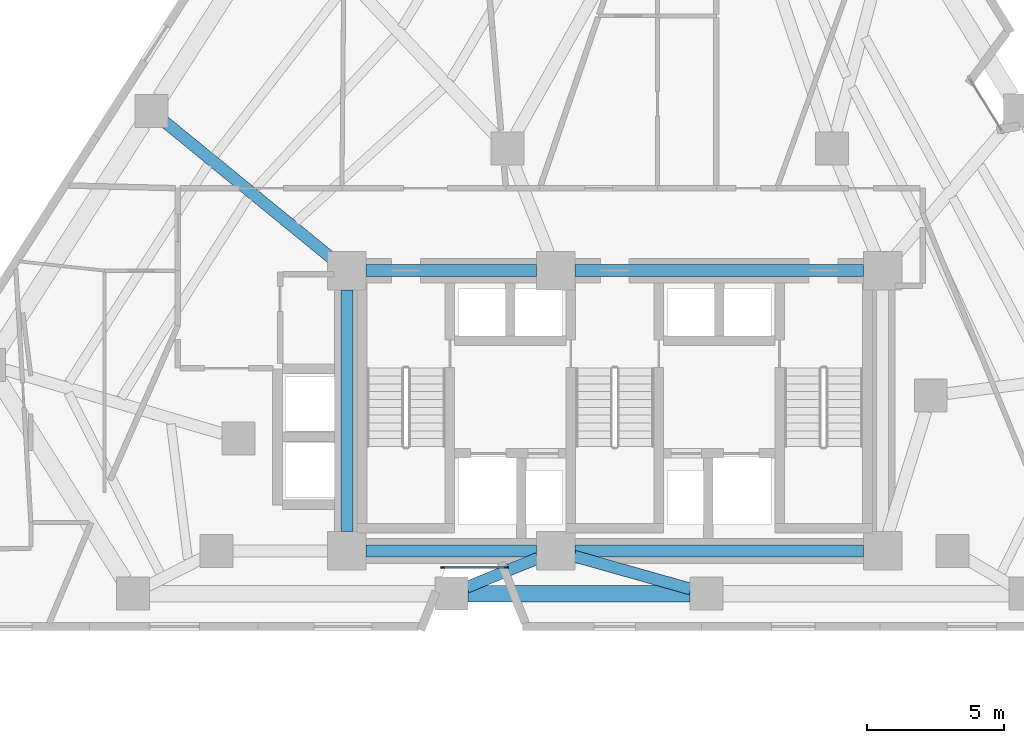
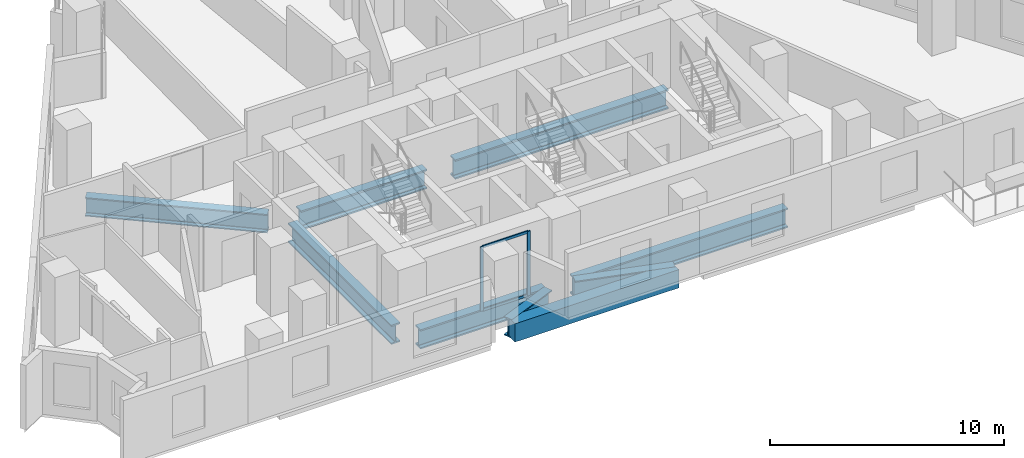
# One storey, part 2 of 13: 9 beams, 4 members, 1 element without a shape of its own.
"""IFC4 building model written with IfcOpenShell, lengths in metres."""

from ifc_helpers import new_model, si_unit, direction, frame, origin, origin_2d, place, context, subcontext, project, spatial, rectangle, i_section, extrude, material, layer, layer_set, material_profile, profile_set, type_object, element, aggregate, save


model = new_model("IFC4")

# Units and contexts
model_context = context("Model", 3, precision=1e-05, world=origin(), true_north=direction((0.0, 1.0)))
body_context = subcontext(model_context, "Body", "Model", "MODEL_VIEW")
ifc_project = project(units=[si_unit("LENGTHUNIT", "METRE"), si_unit("AREAUNIT", "SQUARE_METRE"), si_unit("VOLUMEUNIT", "CUBIC_METRE"), si_unit("PLANEANGLEUNIT", "RADIAN"), si_unit("MASSUNIT", "GRAM", prefix="KILO")], contexts=[model_context])

# Site, building, storey
site_placement = place(None, origin())
site = spatial("IfcSite", under=ifc_project, at=site_placement, CompositionType="ELEMENT")
building_placement = place(site_placement, origin())
building = spatial("IfcBuilding", under=site, at=building_placement, Name="Almagre Mirador Tower", CompositionType="ELEMENT")
storey_placement = place(building_placement, frame((0.0, 0.0, 85.800048828125)))
storey = spatial("IfcBuildingStorey", under=building, at=storey_placement, Name="L21", CompositionType="ELEMENT", Elevation=85.800048828125)

# Beams
ifc_material_1 = material(Name="Precast concrete C50/60", Category="concrete")
ifc_material_profile_1 = material_profile(ifc_material_1, rectangle(XDim=0.60009765625, YDim=0.949951171875, at=origin_2d()), Name="RC600X950")
ifc_profile_set_1 = profile_set([ifc_material_profile_1], Name="Precast concrete C50/60")
beam_type_1 = type_object("IfcBeamType", Name="BM-SPN-RC600X950", PredefinedType="SPANDREL", material=ifc_profile_set_1)
beam_1_placement = place(storey_placement, frame((31.9599609375, 3.0, -0.72509765625), z_axis=(1.0, 0.0, 0.0), x_axis=(0.0, 1.0, 0.0)))
element("IfcBeam", 1, at=beam_1_placement, inside=storey, type_object=beam_type_1, Name="L21 perimeter spandrel beam PC02-PC03", PredefinedType="SPANDREL", context=body_context, shape_type="SweptSolid", body=[
    extrude(rectangle(XDim=0.60009765625, YDim=0.949951171875, at=origin_2d()), origin(), (0.0, 0.0, 1.0), 8.080078125),
])
ifc_material_2 = material(Name="Steel ASTM A992 Grade 50", Category="steel")
ifc_material_profile_2 = material_profile(ifc_material_2, i_section(OverallWidth=0.427978515625, OverallDepth=0.97509765625, WebThickness=0.031005859375, FlangeThickness=0.055908203125, FilletRadius=0.028076171875, at=origin_2d()), Name="W36X395")
ifc_profile_set_2 = profile_set([ifc_material_profile_2], Name="Steel ASTM A992 Grade 50")
beam_type_2 = type_object("IfcBeamType", Name="BM-STL-W36X395", PredefinedType="BEAM", material=ifc_profile_set_2)
beam_2_placement = place(storey_placement, frame((31.915283203125, 3.22705078125, -0.737548828125), z_axis=(0.925599823227, 0.378503589472, 0.0), x_axis=(-0.378503589472, 0.925599823227, 0.0)))
element("IfcBeam", 2, at=beam_2_placement, inside=storey, type_object=beam_type_2, Name="L21 radial floor girder PC02-CC2", PredefinedType="BEAM", context=body_context, shape_type="SweptSolid", body=[
    extrude(i_section(OverallWidth=0.427978515625, OverallDepth=0.97509765625, WebThickness=0.031005859375, FlangeThickness=0.055908203125, FilletRadius=0.028076171875, at=origin_2d()), origin(), (0.0, 0.0, 1.0), 2.794921875),
])
beam_3_placement = place(storey_placement, frame((40.0625, 3.1630859375, -0.737548828125), z_axis=(-0.962376859891, 0.271718198778, 0.0), x_axis=(-0.271718198778, -0.962376859891, 0.0)))
element("IfcBeam", 3, at=beam_3_placement, inside=storey, type_object=beam_type_2, Name="L21 radial floor girder PC03-CC2", PredefinedType="BEAM", context=body_context, shape_type="SweptSolid", body=[
    extrude(i_section(OverallWidth=0.427978515625, OverallDepth=0.97509765625, WebThickness=0.031005859375, FlangeThickness=0.055908203125, FilletRadius=0.028076171875, at=origin_2d()), origin(), (0.0, 0.0, 1.0), 4.404541015625),
])
beam_4_placement = place(storey_placement, frame((20.90673828125, 20.177490234375, -0.737548828125), z_axis=(0.774403065798, -0.632692572805, 0.0), x_axis=(0.632692572805, 0.774403065798, 0.0)))
element("IfcBeam", 4, at=beam_4_placement, inside=storey, type_object=beam_type_2, Name="L21 radial floor girder PC11-CC4", PredefinedType="BEAM", context=body_context, shape_type="SweptSolid", body=[
    extrude(i_section(OverallWidth=0.427978515625, OverallDepth=0.97509765625, WebThickness=0.031005859375, FlangeThickness=0.055908203125, FilletRadius=0.028076171875, at=origin_2d()), origin(), (0.0, 0.0, 1.0), 7.87841796875),
])
ifc_material_3 = material(Name="Steel ASTM A992 Grade 50", Category="steel")
ifc_material_profile_3 = material_profile(ifc_material_3, i_section(OverallWidth=0.43701171875, OverallDepth=1.010986328125, WebThickness=0.041015625, FlangeThickness=0.073974609375, FilletRadius=0.028076171875, at=origin_2d()), Name="W36X529")
ifc_profile_set_3 = profile_set([ifc_material_profile_3], Name="Steel ASTM A992 Grade 50")
beam_type_3 = type_object("IfcBeamType", Name="BM-STL-W36X529", PredefinedType="BEAM", material=ifc_profile_set_3)
beam_5_placement = place(storey_placement, frame((28.25, 4.550048828125, -0.755615234375), z_axis=(1.0, 0.0, 0.0), x_axis=(0.0, 1.0, 0.0)))
element("IfcBeam", 5, at=beam_5_placement, inside=storey, type_object=beam_type_3, Name="L21 core tie girder CC1-CC2", PredefinedType="BEAM", context=body_context, shape_type="SweptSolid", body=[
    extrude(i_section(OverallWidth=0.43701171875, OverallDepth=1.010986328125, WebThickness=0.041015625, FlangeThickness=0.073974609375, FilletRadius=0.028076171875, at=origin_2d()), origin(), (0.0, 0.0, 1.0), 6.199951171875),
])
beam_6_placement = place(storey_placement, frame((35.85009765625, 4.550048828125, -0.755615234375), z_axis=(1.0, 0.0, 0.0), x_axis=(0.0, 1.0, 0.0)))
element("IfcBeam", 6, at=beam_6_placement, inside=storey, type_object=beam_type_3, Name="L21 core tie girder CC2-CC3", PredefinedType="BEAM", context=body_context, shape_type="SweptSolid", body=[
    extrude(i_section(OverallWidth=0.43701171875, OverallDepth=1.010986328125, WebThickness=0.041015625, FlangeThickness=0.073974609375, FilletRadius=0.028076171875, at=origin_2d()), origin(), (0.0, 0.0, 1.0), 10.5),
])
beam_7_placement = place(storey_placement, frame((28.25, 14.75, -0.755615234375), z_axis=(1.0, 0.0, 0.0), x_axis=(0.0, 1.0, 0.0)))
element("IfcBeam", 7, at=beam_7_placement, inside=storey, type_object=beam_type_3, Name="L21 core tie girder CC4-CC5", PredefinedType="BEAM", context=body_context, shape_type="SweptSolid", body=[
    extrude(i_section(OverallWidth=0.43701171875, OverallDepth=1.010986328125, WebThickness=0.041015625, FlangeThickness=0.073974609375, FilletRadius=0.028076171875, at=origin_2d()), origin(), (0.0, 0.0, 1.0), 6.199951171875),
])
beam_8_placement = place(storey_placement, frame((35.85009765625, 14.75, -0.755615234375), z_axis=(1.0, 0.0, 0.0), x_axis=(0.0, 1.0, 0.0)))
element("IfcBeam", 8, at=beam_8_placement, inside=storey, type_object=beam_type_3, Name="L21 core tie girder CC5-CC6", PredefinedType="BEAM", context=body_context, shape_type="SweptSolid", body=[
    extrude(i_section(OverallWidth=0.43701171875, OverallDepth=1.010986328125, WebThickness=0.041015625, FlangeThickness=0.073974609375, FilletRadius=0.028076171875, at=origin_2d()), origin(), (0.0, 0.0, 1.0), 10.5),
])
beam_9_placement = place(storey_placement, frame((27.550048828125, 5.25, -0.755615234375), z_axis=(0.0, 1.0, 0.0), x_axis=(-1.0, 0.0, 0.0)))
element("IfcBeam", 9, at=beam_9_placement, inside=storey, type_object=beam_type_3, Name="L21 core tie girder CC1-CC4", PredefinedType="BEAM", context=body_context, shape_type="SweptSolid", body=[
    extrude(i_section(OverallWidth=0.43701171875, OverallDepth=1.010986328125, WebThickness=0.041015625, FlangeThickness=0.073974609375, FilletRadius=0.028076171875, at=origin_2d()), origin(), (0.0, 0.0, 1.0), 8.800048828125),
])

# Curtain wall, members
ifc_material_4 = material(Name="Black anodized aluminium", Category="aluminium")
ifc_layer = layer(ifc_material_4, 0.169921875)
ifc_layer_set = layer_set([ifc_layer], Name="Black anodized aluminium")
curtain_wall_type = type_object("IfcCurtainWallType", Name="CW-CRS-SYS", PredefinedType="NOTDEFINED", material=ifc_layer_set)
curtain_wall_placement = place(storey_placement, origin())
curtain_wall = element("IfcCurtainWall", 10, at=curtain_wall_placement, inside=storey, type_object=curtain_wall_type, Name="L21 vertical crease curtain wall 04", PredefinedType="NOTDEFINED")
ifc_material_5 = material(Name="Black anodized aluminium", Category="aluminium")
ifc_material_profile_4 = material_profile(ifc_material_5, rectangle(XDim=0.06005859375, YDim=0.14990234375, at=origin_2d()), Name="CWM60X150")
ifc_profile_set_4 = profile_set([ifc_material_profile_4], Name="Black anodized aluminium")
member_type_1 = type_object("IfcMemberType", Name="MBR-CWM60X150", PredefinedType="MULLION", material=ifc_profile_set_4)
member_1_placement = place(storey_placement, frame((33.346923828125, 3.949951171875, 0.0), z_axis=(0.0, 0.0, 1.0), x_axis=(0.0, -1.0, 0.0)))
member_1 = element("IfcMember", 11, at=member_1_placement, type_object=member_type_1, Name="CW-4 mullion 1", PredefinedType="MULLION", context=body_context, shape_type="SweptSolid", body=[
    extrude(rectangle(XDim=0.06005859375, YDim=0.14990234375, at=origin_2d()), origin(), (0.0, 0.0, 1.0), 3.349853515625),
])
member_2_placement = place(storey_placement, frame((31.037109375, 3.949951171875, 0.0), z_axis=(0.0, 0.0, 1.0), x_axis=(0.0, -1.0, 0.0)))
member_2 = element("IfcMember", 12, at=member_2_placement, type_object=member_type_1, Name="CW-4 mullion 2", PredefinedType="MULLION", context=body_context, shape_type="SweptSolid", body=[
    extrude(rectangle(XDim=0.06005859375, YDim=0.14990234375, at=origin_2d()), origin(), (0.0, 0.0, 1.0), 3.349853515625),
])
ifc_material_6 = material(Name="Black anodized aluminium", Category="aluminium")
ifc_material_profile_5 = material_profile(ifc_material_6, rectangle(XDim=0.06005859375, YDim=0.1298828125, at=origin_2d()), Name="CWT60X130")
ifc_profile_set_5 = profile_set([ifc_material_profile_5], Name="Black anodized aluminium")
member_type_2 = type_object("IfcMemberType", Name="MBR-CWT60X130", PredefinedType="USERDEFINED", material=ifc_profile_set_5)
member_3_placement = place(storey_placement, frame((33.31689453125, 3.949951171875, 0.030029296875), z_axis=(-1.0, 0.0, 0.0), x_axis=(0.0, -1.0, 0.0)))
member_3 = element("IfcMember", 13, at=member_3_placement, type_object=member_type_2, Name="CW-4 transom 1.1", ObjectType="TRANSOM", PredefinedType="USERDEFINED", context=body_context, shape_type="SweptSolid", body=[
    extrude(rectangle(XDim=0.06005859375, YDim=0.1298828125, at=origin_2d()), origin(), (0.0, 0.0, 1.0), 2.25),
])
member_4_placement = place(storey_placement, frame((33.31689453125, 3.949951171875, 3.320068359375), z_axis=(-1.0, 0.0, 0.0), x_axis=(0.0, -1.0, 0.0)))
member_4 = element("IfcMember", 14, at=member_4_placement, type_object=member_type_2, Name="CW-4 transom 1.2", ObjectType="TRANSOM", PredefinedType="USERDEFINED", context=body_context, shape_type="SweptSolid", body=[
    extrude(rectangle(XDim=0.06005859375, YDim=0.1298828125, at=origin_2d()), origin(), (0.0, 0.0, 1.0), 2.25),
])
aggregate(curtain_wall, [member_1, member_2, member_3, member_4])

save(model, "model.ifc")
